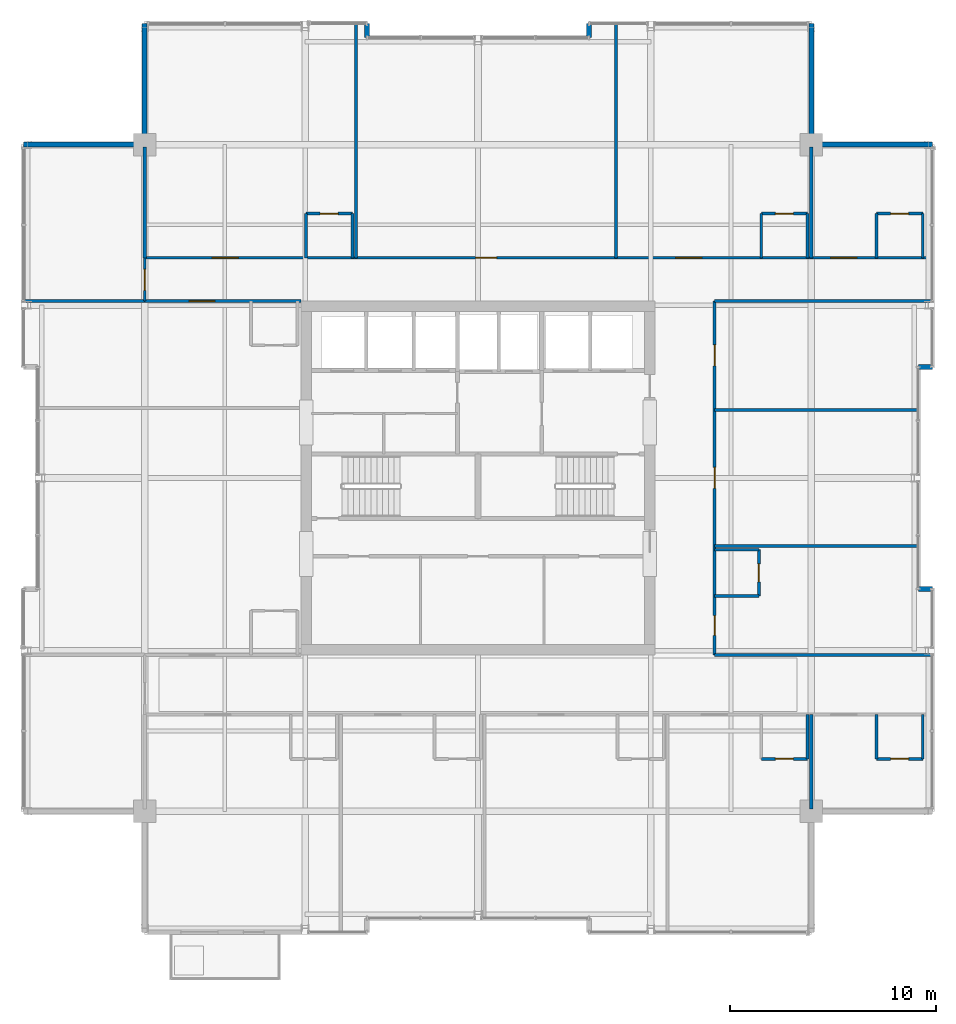
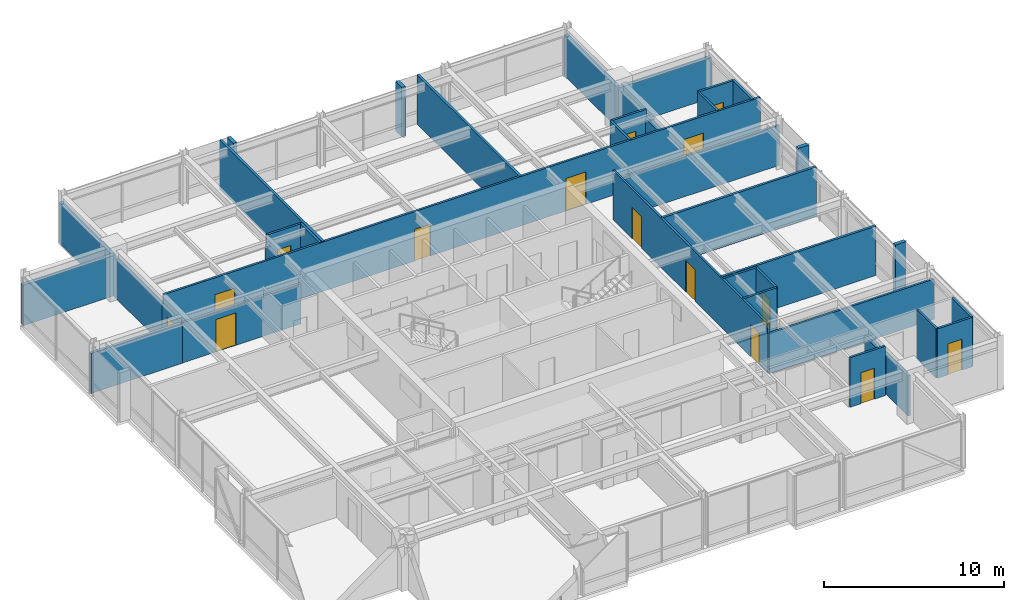
# One storey, part 30 of 34: 39 walls, 15 doors, 15 openings.
"""IFC4 building model written with IfcOpenShell, lengths in metres."""

from ifc_helpers import new_model, si_unit, direction, frame, frame_2d, origin, place, context, subcontext, project, spatial, rectangle, extrude, material, layer, layer_set, type_object, element, fill, save


model = new_model("IFC4")

# Units and contexts
model_context = context("Model", 3, precision=1e-05, world=origin(), true_north=direction((0.0, 1.0)))
body_context = subcontext(model_context, "Body", "Model", "MODEL_VIEW")
ifc_project = project(units=[si_unit("LENGTHUNIT", "METRE"), si_unit("AREAUNIT", "SQUARE_METRE"), si_unit("VOLUMEUNIT", "CUBIC_METRE"), si_unit("PLANEANGLEUNIT", "RADIAN"), si_unit("MASSUNIT", "GRAM", prefix="KILO")], contexts=[model_context])

# Site, building, storey
site_placement = place(None, origin())
site = spatial("IfcSite", under=ifc_project, at=site_placement, CompositionType="ELEMENT")
building_placement = place(site_placement, origin())
building = spatial("IfcBuilding", under=site, at=building_placement, Name="Drelvath Grand Hotel", CompositionType="ELEMENT")
storey_placement = place(building_placement, frame((0.0, 0.0, 290.550048828125)))
storey = spatial("IfcBuildingStorey", under=building, at=storey_placement, Name="L76", CompositionType="ELEMENT", Elevation=290.550048828125)

# Wall, openings, doors
ifc_material_1 = material(Name="Gypsum Fireboard Partition")
ifc_layer_1 = layer(ifc_material_1, 0.135009765625)
ifc_layer_set_1 = layer_set([ifc_layer_1], Name="Gypsum Fireboard Partition")
wall_type_1 = type_object("IfcWallType", Name="Corridor Fire Barrier Wall 135", PredefinedType="PARTITIONING", material=ifc_layer_set_1)
wall_1_placement = place(storey_placement, frame((-16.199951171875, 37.699951171875, 0.0), z_axis=(0.0, 0.0, 1.0), x_axis=(1.0, 0.0, 0.0)))
wall_1 = element("IfcWall", 1, at=wall_1_placement, inside=storey, type_object=wall_type_1, Name="L76 North Cross-Gallery Wall", PredefinedType="PARTITIONING", context=body_context, shape_type="SweptSolid", body=[
    extrude(rectangle(XDim=38.280029296875, YDim=0.135009765625, at=frame_2d((19.14013671875, 0.0))), origin(), (0.0, 0.0, 1.0), 3.349853515625),
])
opening_1_placement = place(wall_1_placement, frame((33.35498046875, 0.0, 0.0)))
opening_1 = element("IfcOpeningElement", 2, at=opening_1_placement, cuts=wall_1, Name="Opening D-T5G3-024", PredefinedType="OPENING", context=body_context, shape_type="SweptSolid", body=[
    extrude(rectangle(XDim=1.260009765625, YDim=2.199951171875, at=frame_2d((0.6298828125, 1.10009765625))), frame((0.0, 0.077392578125, 0.0), z_axis=(0.0, -1.0, 0.0), x_axis=(1.0, 0.0, 0.0)), (0.0, 0.0, 1.0), 0.155029296875),
])
opening_2_placement = place(wall_1_placement, frame((3.29150390625, 0.0, 0.0)))
opening_2 = element("IfcOpeningElement", 3, at=opening_2_placement, cuts=wall_1, Name="Opening D-T5G3-034", PredefinedType="OPENING", context=body_context, shape_type="SweptSolid", body=[
    extrude(rectangle(XDim=1.260009765625, YDim=2.199951171875, at=frame_2d((0.6298828125, 1.10009765625))), frame((0.0, 0.077392578125, 0.0), z_axis=(0.0, -1.0, 0.0), x_axis=(1.0, 0.0, 0.0)), (0.0, 0.0, 1.0), 0.155029296875),
])
opening_3_placement = place(wall_1_placement, frame((16.085205078125, 0.0, 0.0)))
opening_3 = element("IfcOpeningElement", 4, at=opening_3_placement, cuts=wall_1, Name="Opening D-T5G3-035", PredefinedType="OPENING", context=body_context, shape_type="SweptSolid", body=[
    extrude(rectangle(XDim=1.02001953125, YDim=2.14990234375, at=frame_2d((0.510009765625, 1.074951171875))), frame((0.0, 0.077392578125, 0.0), z_axis=(0.0, -1.0, 0.0), x_axis=(1.0, 0.0, 0.0)), (0.0, 0.0, 1.0), 0.155029296875),
])
opening_4_placement = place(wall_1_placement, frame((25.8134765625, 0.0, 0.0)))
opening_4 = element("IfcOpeningElement", 5, at=opening_4_placement, cuts=wall_1, Name="Opening D-T5G3-037", PredefinedType="OPENING", context=body_context, shape_type="SweptSolid", body=[
    extrude(rectangle(XDim=1.260009765625, YDim=2.199951171875, at=frame_2d((0.6298828125, 1.10009765625))), frame((0.0, 0.077392578125, 0.0), z_axis=(0.0, -1.0, 0.0), x_axis=(1.0, 0.0, 0.0)), (0.0, 0.0, 1.0), 0.155029296875),
])
ifc_material_2 = material(Name="Hardwood Walnut Timber", Category="wood")
door_type_1 = type_object("IfcDoorType", Name="Amenity Meeting Fire Door 1020x2150", OperationType="NOTDEFINED", PredefinedType="DOOR", material=ifc_material_2)
door_1_placement = place(opening_3_placement, origin())
door_1 = element("IfcDoor", 6, at=door_1_placement, inside=storey, type_object=door_type_1, Name="L76 Champagne Tasting Salon Entry Door", OperationType="SINGLE_SWING_RIGHT", OverallHeight=2.14990234375, OverallWidth=1.02001953125, PredefinedType="DOOR", context=body_context, shape_type="SweptSolid", body=[
    extrude(rectangle(XDim=1.02001953125, YDim=2.14990234375, at=frame_2d((0.510009765625, 1.074951171875))), frame((0.0, 0.02490234375, 0.0), z_axis=(0.0, -1.0, 0.0), x_axis=(1.0, 0.0, 0.0)), (0.0, 0.0, 1.0), 0.050048828125),
])
fill(opening_3, door_1)
door_type_2 = type_object("IfcDoorType", Name="Suite Entrance Fire Door 1260x2200", OperationType="NOTDEFINED", PredefinedType="DOOR", material=ifc_material_2)
door_2_placement = place(opening_1_placement, origin())
door_2 = element("IfcDoor", 7, at=door_2_placement, inside=storey, type_object=door_type_2, Name="L76 Royal Suite Entry Door", OperationType="SINGLE_SWING_LEFT", OverallHeight=2.199951171875, OverallWidth=1.260009765625, PredefinedType="DOOR", context=body_context, shape_type="SweptSolid", body=[
    extrude(rectangle(XDim=1.260009765625, YDim=2.199951171875, at=frame_2d((0.6298828125, 1.10009765625))), frame((0.0, 0.02490234375, 0.0), z_axis=(0.0, -1.0, 0.0), x_axis=(1.0, 0.0, 0.0)), (0.0, 0.0, 1.0), 0.050048828125),
])
fill(opening_1, door_2)
door_3_placement = place(opening_2_placement, origin())
door_3 = element("IfcDoor", 8, at=door_3_placement, inside=storey, type_object=door_type_2, Name="L76 Royal Suite Entry Door", OperationType="SINGLE_SWING_LEFT", OverallHeight=2.199951171875, OverallWidth=1.260009765625, PredefinedType="DOOR", context=body_context, shape_type="SweptSolid", body=[
    extrude(rectangle(XDim=1.260009765625, YDim=2.199951171875, at=frame_2d((0.6298828125, 1.10009765625))), frame((0.0, 0.02490234375, 0.0), z_axis=(0.0, -1.0, 0.0), x_axis=(1.0, 0.0, 0.0)), (0.0, 0.0, 1.0), 0.050048828125),
])
fill(opening_2, door_3)
door_4_placement = place(opening_4_placement, origin())
door_4 = element("IfcDoor", 9, at=door_4_placement, inside=storey, type_object=door_type_2, Name="L76 Royal Suite Entry Door", OperationType="SINGLE_SWING_RIGHT", OverallHeight=2.199951171875, OverallWidth=1.260009765625, PredefinedType="DOOR", context=body_context, shape_type="SweptSolid", body=[
    extrude(rectangle(XDim=1.260009765625, YDim=2.199951171875, at=frame_2d((0.6298828125, 1.10009765625))), frame((0.0, 0.02490234375, 0.0), z_axis=(0.0, -1.0, 0.0), x_axis=(1.0, 0.0, 0.0)), (0.0, 0.0, 1.0), 0.050048828125),
])
fill(opening_4, door_4)

# Wall
wall_2_placement = place(storey_placement, frame((11.5, 18.39990234375, 0.0), z_axis=(0.0, 0.0, 1.0), x_axis=(1.0, 0.0, 0.0)))
element("IfcWall", 10, at=wall_2_placement, inside=storey, type_object=wall_type_1, Name="L76 South Gallery Inner East Wall", PredefinedType="PARTITIONING", context=body_context, shape_type="SweptSolid", body=[
    extrude(rectangle(XDim=10.580078125, YDim=0.135009765625, at=frame_2d((5.2900390625, 0.0))), origin(), (0.0, 0.0, 1.0), 2.727294921875),
])

# Wall, opening, door
wall_3_placement = place(storey_placement, frame((-16.199951171875, 35.60009765625, 0.0), z_axis=(0.0, 0.0, 1.0), x_axis=(1.0, 0.0, 0.0)))
wall_3 = element("IfcWall", 11, at=wall_3_placement, inside=storey, type_object=wall_type_1, Name="L76 North Gallery Inner West Wall", PredefinedType="PARTITIONING", context=body_context, shape_type="SweptSolid", body=[
    extrude(rectangle(XDim=7.599853515625, YDim=0.135009765625, at=frame_2d((3.7998046875, 0.0))), origin(), (0.0, 0.0, 1.0), 2.727294921875),
])
opening_5_placement = place(wall_3_placement, frame((2.155029296875, 0.0, 0.0)))
opening_5 = element("IfcOpeningElement", 12, at=opening_5_placement, cuts=wall_3, Name="Opening D-T5G3-045", PredefinedType="OPENING", context=body_context, shape_type="SweptSolid", body=[
    extrude(rectangle(XDim=1.260009765625, YDim=2.199951171875, at=frame_2d((0.6298828125, 1.10009765625))), frame((0.0, 0.077392578125, 0.0), z_axis=(0.0, -1.0, 0.0), x_axis=(1.0, 0.0, 0.0)), (0.0, 0.0, 1.0), 0.155029296875),
])
door_5_placement = place(opening_5_placement, origin())
door_5 = element("IfcDoor", 13, at=door_5_placement, inside=storey, type_object=door_type_2, Name="L76 Royal Suite Entry Door", OperationType="SINGLE_SWING_RIGHT", OverallHeight=2.199951171875, OverallWidth=1.260009765625, PredefinedType="DOOR", context=body_context, shape_type="SweptSolid", body=[
    extrude(rectangle(XDim=1.260009765625, YDim=2.199951171875, at=frame_2d((0.6298828125, 1.10009765625))), frame((0.0, 0.02490234375, 0.0), z_axis=(0.0, -1.0, 0.0), x_axis=(1.0, 0.0, 0.0)), (0.0, 0.0, 1.0), 0.050048828125),
])
fill(opening_5, door_5)

# Wall
wall_4_placement = place(storey_placement, frame((11.5, 35.60009765625, 0.0), z_axis=(0.0, 0.0, 1.0), x_axis=(1.0, 0.0, 0.0)))
element("IfcWall", 14, at=wall_4_placement, inside=storey, type_object=wall_type_1, Name="L76 North Gallery Inner East Wall", PredefinedType="PARTITIONING", context=body_context, shape_type="SweptSolid", body=[
    extrude(rectangle(XDim=10.580078125, YDim=0.135009765625, at=frame_2d((5.2900390625, 0.0))), origin(), (0.0, 0.0, 1.0), 2.727294921875),
])

# Wall, openings, doors
wall_5_placement = place(storey_placement, frame((11.5, 18.39990234375, 0.0), z_axis=(0.0, 0.0, 1.0), x_axis=(0.0, 1.0, 0.0)))
wall_5 = element("IfcWall", 15, at=wall_5_placement, inside=storey, type_object=wall_type_1, Name="L76 East Gallery Link Wall", PredefinedType="PARTITIONING", context=body_context, shape_type="SweptSolid", body=[
    extrude(rectangle(XDim=17.2001953125, YDim=0.135009765625, at=frame_2d((8.60009765625, 0.0))), origin(), (0.0, 0.0, 1.0), 3.349853515625),
])
opening_6_placement = place(wall_5_placement, frame((0.951171875, 0.0, 0.0)))
opening_6 = element("IfcOpeningElement", 16, at=opening_6_placement, cuts=wall_5, Name="Opening D-T5G3-039", PredefinedType="OPENING", context=body_context, shape_type="SweptSolid", body=[
    extrude(rectangle(XDim=0.9599609375, YDim=2.14990234375, at=frame_2d((0.47998046875, 1.074951171875))), frame((0.0, 0.077392578125, 0.0), z_axis=(0.0, -1.0, 0.0), x_axis=(1.0, 0.0, 0.0)), (0.0, 0.0, 1.0), 0.155029296875),
])
opening_7_placement = place(wall_5_placement, frame((8.090087890625, 0.0, 0.0)))
opening_7 = element("IfcOpeningElement", 17, at=opening_7_placement, cuts=wall_5, Name="Opening D-T5G3-040", PredefinedType="OPENING", context=body_context, shape_type="SweptSolid", body=[
    extrude(rectangle(XDim=1.02001953125, YDim=2.14990234375, at=frame_2d((0.510009765625, 1.074951171875))), frame((0.0, 0.077392578125, 0.0), z_axis=(0.0, -1.0, 0.0), x_axis=(1.0, 0.0, 0.0)), (0.0, 0.0, 1.0), 0.155029296875),
])
opening_8_placement = place(wall_5_placement, frame((14.0439453125, 0.0, 0.0)))
opening_8 = element("IfcOpeningElement", 18, at=opening_8_placement, cuts=wall_5, Name="Opening D-T5G3-041", PredefinedType="OPENING", context=body_context, shape_type="SweptSolid", body=[
    extrude(rectangle(XDim=1.02001953125, YDim=2.14990234375, at=frame_2d((0.510009765625, 1.074951171875))), frame((0.0, 0.077392578125, 0.0), z_axis=(0.0, -1.0, 0.0), x_axis=(1.0, 0.0, 0.0)), (0.0, 0.0, 1.0), 0.155029296875),
])
door_6_placement = place(opening_7_placement, origin())
door_6 = element("IfcDoor", 19, at=door_6_placement, inside=storey, type_object=door_type_1, Name="L76 Royal Concierge Office Entry Door", OperationType="SINGLE_SWING_LEFT", OverallHeight=2.14990234375, OverallWidth=1.02001953125, PredefinedType="DOOR", context=body_context, shape_type="SweptSolid", body=[
    extrude(rectangle(XDim=1.02001953125, YDim=2.14990234375, at=frame_2d((0.510009765625, 1.074951171875))), frame((0.0, 0.02490234375, 0.0), z_axis=(0.0, -1.0, 0.0), x_axis=(1.0, 0.0, 0.0)), (0.0, 0.0, 1.0), 0.050048828125),
])
fill(opening_7, door_6)
door_7_placement = place(opening_8_placement, origin())
door_7 = element("IfcDoor", 20, at=door_7_placement, inside=storey, type_object=door_type_1, Name="L76 Diplomatic Boardroom Entry Door", OperationType="SINGLE_SWING_RIGHT", OverallHeight=2.14990234375, OverallWidth=1.02001953125, PredefinedType="DOOR", context=body_context, shape_type="SweptSolid", body=[
    extrude(rectangle(XDim=1.02001953125, YDim=2.14990234375, at=frame_2d((0.510009765625, 1.074951171875))), frame((0.0, 0.02490234375, 0.0), z_axis=(0.0, -1.0, 0.0), x_axis=(1.0, 0.0, 0.0)), (0.0, 0.0, 1.0), 0.050048828125),
])
fill(opening_8, door_7)
door_type_3 = type_object("IfcDoorType", Name="Guestroom Entrance Fire Door 960x2150", OperationType="NOTDEFINED", PredefinedType="DOOR", material=ifc_material_2)
door_8_placement = place(opening_6_placement, origin())
door_8 = element("IfcDoor", 21, at=door_8_placement, inside=storey, type_object=door_type_3, Name="L76 King Guest Room Entry Door", OperationType="SINGLE_SWING_RIGHT", OverallHeight=2.14990234375, OverallWidth=0.9599609375, PredefinedType="DOOR", context=body_context, shape_type="SweptSolid", body=[
    extrude(rectangle(XDim=0.9599609375, YDim=2.14990234375, at=frame_2d((0.47998046875, 1.074951171875))), frame((0.0, 0.02490234375, 0.0), z_axis=(0.0, -1.0, 0.0), x_axis=(1.0, 0.0, 0.0)), (0.0, 0.0, 1.0), 0.050048828125),
])
fill(opening_6, door_8)

# Wall, opening, door
wall_6_placement = place(storey_placement, frame((-16.199951171875, 35.60009765625, 0.0), z_axis=(0.0, 0.0, 1.0), x_axis=(0.0, 1.0, 0.0)))
wall_6 = element("IfcWall", 22, at=wall_6_placement, inside=storey, type_object=wall_type_1, Name="L76 North Gallery West End", PredefinedType="PARTITIONING", context=body_context, shape_type="SweptSolid", body=[
    extrude(rectangle(XDim=2.099853515625, YDim=0.135009765625, at=frame_2d((1.0498046875, 0.0))), origin(), (0.0, 0.0, 1.0), 2.723876953125),
])
opening_9_placement = place(wall_6_placement, frame((0.52001953125, 0.0, 0.0)))
opening_9 = element("IfcOpeningElement", 23, at=opening_9_placement, cuts=wall_6, Name="Opening D-T5G3-020", PredefinedType="OPENING", context=body_context, shape_type="SweptSolid", body=[
    extrude(rectangle(XDim=1.02001953125, YDim=2.14990234375, at=frame_2d((0.510009765625, 1.074951171875))), frame((0.0, 0.077392578125, 0.0), z_axis=(0.0, -1.0, 0.0), x_axis=(1.0, 0.0, 0.0)), (0.0, 0.0, 1.0), 0.155029296875),
])
door_9_placement = place(opening_9_placement, origin())
door_9 = element("IfcDoor", 24, at=door_9_placement, inside=storey, type_object=door_type_1, Name="L76 Corner Panorama Lounge Door", OperationType="SINGLE_SWING_LEFT", OverallHeight=2.14990234375, OverallWidth=1.02001953125, PredefinedType="DOOR", context=body_context, shape_type="SweptSolid", body=[
    extrude(rectangle(XDim=1.02001953125, YDim=2.14990234375, at=frame_2d((0.510009765625, 1.074951171875))), frame((0.0, 0.02490234375, 0.0), z_axis=(0.0, -1.0, 0.0), x_axis=(1.0, 0.0, 0.0)), (0.0, 0.0, 1.0), 0.050048828125),
])
fill(opening_9, door_9)

# Walls
ifc_material_3 = material(Name="Moisture-Resistant Gypsum Board")
ifc_layer_2 = layer(ifc_material_3, 0.139892578125)
ifc_layer_set_2 = layer_set([ifc_layer_2], Name="Moisture-Resistant Gypsum Board")
wall_type_2 = type_object("IfcWallType", Name="En-Suite Plumbing Wall 140", PredefinedType="PLUMBINGWALL", material=ifc_layer_set_2)
for number, where, z_axis, x_axis, name in (
    (25, (19.3701171875, 15.5, 0.0), (0.0, 0.0, 1.0), (0.0, -1.0, 0.0), "L76 En-Suite Left Wall"),
    (26, (21.6201171875, 15.5, 0.0), (0.0, 0.0, 1.0), (0.0, -1.0, 0.0), "L76 En-Suite Right Wall"),
):
    element("IfcWall", number, at=place(storey_placement, frame(where, z_axis=z_axis, x_axis=x_axis)), inside=storey, type_object=wall_type_2, Name=name, PredefinedType="PLUMBINGWALL", context=body_context, shape_type="SweptSolid", body=[
        extrude(rectangle(XDim=2.14990234375, YDim=0.139892578125, at=frame_2d((1.074951171875, 0.0))), origin(), (0.0, 0.0, 1.0), 3.349853515625),
    ])

# Wall, opening, door
wall_7_placement = place(storey_placement, frame((19.3701171875, 13.35009765625, 0.0), z_axis=(0.0, 0.0, 1.0), x_axis=(1.0, 0.0, 0.0)))
wall_7 = element("IfcWall", 27, at=wall_7_placement, inside=storey, type_object=wall_type_2, Name="L76 En-Suite Front Wall", PredefinedType="PLUMBINGWALL", context=body_context, shape_type="SweptSolid", body=[
    extrude(rectangle(XDim=2.25, YDim=0.139892578125, at=frame_2d((1.125, 0.0))), origin(), (0.0, 0.0, 1.0), 3.349853515625),
])
opening_10_placement = place(wall_7_placement, frame((0.68505859375, 0.0, 0.0)))
opening_10 = element("IfcOpeningElement", 28, at=opening_10_placement, cuts=wall_7, Name="Opening D-T5G3-021", PredefinedType="OPENING", context=body_context, shape_type="SweptSolid", body=[
    extrude(rectangle(XDim=0.8798828125, YDim=2.10009765625, at=frame_2d((0.43994140625, 1.050048828125))), frame((0.0, 0.079833984375, 0.0), z_axis=(0.0, -1.0, 0.0), x_axis=(1.0, 0.0, 0.0)), (0.0, 0.0, 1.0), 0.159912109375),
])
door_type_4 = type_object("IfcDoorType", Name="En-Suite Bathroom Door 880x2100", OperationType="NOTDEFINED", PredefinedType="DOOR", material=ifc_material_2)
door_10_placement = place(opening_10_placement, origin())
door_10 = element("IfcDoor", 29, at=door_10_placement, inside=storey, type_object=door_type_4, Name="L76 En-Suite Bathroom Door", OperationType="SINGLE_SWING_RIGHT", OverallHeight=2.10009765625, OverallWidth=0.8798828125, PredefinedType="DOOR", context=body_context, shape_type="SweptSolid", body=[
    extrude(rectangle(XDim=0.8798828125, YDim=2.10009765625, at=frame_2d((0.43994140625, 1.050048828125))), frame((0.0, 0.02490234375, 0.0), z_axis=(0.0, -1.0, 0.0), x_axis=(1.0, 0.0, 0.0)), (0.0, 0.0, 1.0), 0.050048828125),
])
fill(opening_10, door_10)

# Walls
for number, where, z_axis, x_axis, name in (
    (30, (19.3701171875, 37.699951171875, 0.0), (0.0, 0.0, 1.0), (0.0, 1.0, 0.0), "L76 En-Suite Left Wall"),
    (31, (21.6201171875, 37.699951171875, 0.0), (0.0, 0.0, 1.0), (0.0, 1.0, 0.0), "L76 En-Suite Right Wall"),
):
    element("IfcWall", number, at=place(storey_placement, frame(where, z_axis=z_axis, x_axis=x_axis)), inside=storey, type_object=wall_type_2, Name=name, PredefinedType="PLUMBINGWALL", context=body_context, shape_type="SweptSolid", body=[
        extrude(rectangle(XDim=2.150146484375, YDim=0.139892578125, at=frame_2d((1.0751953125, 0.0))), origin(), (0.0, 0.0, 1.0), 3.349853515625),
    ])

# Wall, opening, door
wall_8_placement = place(storey_placement, frame((19.3701171875, 39.85009765625, 0.0), z_axis=(0.0, 0.0, 1.0), x_axis=(1.0, 0.0, 0.0)))
wall_8 = element("IfcWall", 32, at=wall_8_placement, inside=storey, type_object=wall_type_2, Name="L76 En-Suite Front Wall", PredefinedType="PLUMBINGWALL", context=body_context, shape_type="SweptSolid", body=[
    extrude(rectangle(XDim=2.25, YDim=0.139892578125, at=frame_2d((1.125, 0.0))), origin(), (0.0, 0.0, 1.0), 3.349853515625),
])
opening_11_placement = place(wall_8_placement, frame((0.68505859375, 0.0, 0.0)))
opening_11 = element("IfcOpeningElement", 33, at=opening_11_placement, cuts=wall_8, Name="Opening D-T5G3-023", PredefinedType="OPENING", context=body_context, shape_type="SweptSolid", body=[
    extrude(rectangle(XDim=0.8798828125, YDim=2.10009765625, at=frame_2d((0.43994140625, 1.050048828125))), frame((0.0, 0.079833984375, 0.0), z_axis=(0.0, -1.0, 0.0), x_axis=(1.0, 0.0, 0.0)), (0.0, 0.0, 1.0), 0.159912109375),
])
door_11_placement = place(opening_11_placement, origin())
door_11 = element("IfcDoor", 34, at=door_11_placement, inside=storey, type_object=door_type_4, Name="L76 En-Suite Bathroom Door", OperationType="SINGLE_SWING_RIGHT", OverallHeight=2.10009765625, OverallWidth=0.8798828125, PredefinedType="DOOR", context=body_context, shape_type="SweptSolid", body=[
    extrude(rectangle(XDim=0.8798828125, YDim=2.10009765625, at=frame_2d((0.43994140625, 1.050048828125))), frame((0.0, 0.02490234375, 0.0), z_axis=(0.0, -1.0, 0.0), x_axis=(1.0, 0.0, 0.0)), (0.0, 0.0, 1.0), 0.050048828125),
])
fill(opening_11, door_11)

# Wall
wall_9_placement = place(storey_placement, frame((16.02001953125, 15.5, 0.0), z_axis=(0.0, 0.0, 1.0), x_axis=(0.0, -1.0, 0.0)))
element("IfcWall", 35, at=wall_9_placement, inside=storey, type_object=wall_type_2, Name="L76 En-Suite Right Wall", PredefinedType="PLUMBINGWALL", context=body_context, shape_type="SweptSolid", body=[
    extrude(rectangle(XDim=2.14990234375, YDim=0.139892578125, at=frame_2d((1.074951171875, 0.0))), origin(), (0.0, 0.0, 1.0), 2.723876953125),
])

# Wall, opening, door
wall_10_placement = place(storey_placement, frame((13.77001953125, 13.35009765625, 0.0), z_axis=(0.0, 0.0, 1.0), x_axis=(1.0, 0.0, 0.0)))
wall_10 = element("IfcWall", 36, at=wall_10_placement, inside=storey, type_object=wall_type_2, Name="L76 En-Suite Front Wall", PredefinedType="PLUMBINGWALL", context=body_context, shape_type="SweptSolid", body=[
    extrude(rectangle(XDim=2.25, YDim=0.139892578125, at=frame_2d((1.125, 0.0))), origin(), (0.0, 0.0, 1.0), 3.349853515625),
])
opening_12_placement = place(wall_10_placement, frame((0.68505859375, 0.0, 0.0)))
opening_12 = element("IfcOpeningElement", 37, at=opening_12_placement, cuts=wall_10, Name="Opening D-T5G3-031", PredefinedType="OPENING", context=body_context, shape_type="SweptSolid", body=[
    extrude(rectangle(XDim=0.8798828125, YDim=2.10009765625, at=frame_2d((0.43994140625, 1.050048828125))), frame((0.0, 0.079833984375, 0.0), z_axis=(0.0, -1.0, 0.0), x_axis=(1.0, 0.0, 0.0)), (0.0, 0.0, 1.0), 0.159912109375),
])
door_12_placement = place(opening_12_placement, origin())
door_12 = element("IfcDoor", 38, at=door_12_placement, inside=storey, type_object=door_type_4, Name="L76 En-Suite Bathroom Door", OperationType="SINGLE_SWING_RIGHT", OverallHeight=2.10009765625, OverallWidth=0.8798828125, PredefinedType="DOOR", context=body_context, shape_type="SweptSolid", body=[
    extrude(rectangle(XDim=0.8798828125, YDim=2.10009765625, at=frame_2d((0.43994140625, 1.050048828125))), frame((0.0, 0.02490234375, 0.0), z_axis=(0.0, -1.0, 0.0), x_axis=(1.0, 0.0, 0.0)), (0.0, 0.0, 1.0), 0.050048828125),
])
fill(opening_12, door_12)

# Walls
wall_11_placement = place(storey_placement, frame((-8.356689453125, 37.699951171875, 0.0), z_axis=(0.0, 0.0, 1.0), x_axis=(0.0, 1.0, 0.0)))
element("IfcWall", 39, at=wall_11_placement, inside=storey, type_object=wall_type_2, Name="L76 En-Suite Left Wall", PredefinedType="PLUMBINGWALL", context=body_context, shape_type="SweptSolid", body=[
    extrude(rectangle(XDim=2.150146484375, YDim=0.139892578125, at=frame_2d((1.0751953125, 0.0))), origin(), (0.0, 0.0, 1.0), 2.727294921875),
])
wall_12_placement = place(storey_placement, frame((-6.106689453125, 37.699951171875, 0.0), z_axis=(0.0, 0.0, 1.0), x_axis=(0.0, 1.0, 0.0)))
element("IfcWall", 40, at=wall_12_placement, inside=storey, type_object=wall_type_2, Name="L76 En-Suite Right Wall", PredefinedType="PLUMBINGWALL", context=body_context, shape_type="SweptSolid", body=[
    extrude(rectangle(XDim=2.150146484375, YDim=0.139892578125, at=frame_2d((1.0751953125, 0.0))), origin(), (0.0, 0.0, 1.0), 3.349853515625),
])

# Wall, opening, door
wall_13_placement = place(storey_placement, frame((-8.356689453125, 39.85009765625, 0.0), z_axis=(0.0, 0.0, 1.0), x_axis=(1.0, 0.0, 0.0)))
wall_13 = element("IfcWall", 41, at=wall_13_placement, inside=storey, type_object=wall_type_2, Name="L76 En-Suite Front Wall", PredefinedType="PLUMBINGWALL", context=body_context, shape_type="SweptSolid", body=[
    extrude(rectangle(XDim=2.25, YDim=0.139892578125, at=frame_2d((1.125, 0.0))), origin(), (0.0, 0.0, 1.0), 3.349853515625),
])
opening_13_placement = place(wall_13_placement, frame((0.68505859375, 0.0, 0.0)))
opening_13 = element("IfcOpeningElement", 42, at=opening_13_placement, cuts=wall_13, Name="Opening D-T5G3-033", PredefinedType="OPENING", context=body_context, shape_type="SweptSolid", body=[
    extrude(rectangle(XDim=0.8798828125, YDim=2.10009765625, at=frame_2d((0.43994140625, 1.050048828125))), frame((0.0, 0.079833984375, 0.0), z_axis=(0.0, -1.0, 0.0), x_axis=(1.0, 0.0, 0.0)), (0.0, 0.0, 1.0), 0.159912109375),
])
door_13_placement = place(opening_13_placement, origin())
door_13 = element("IfcDoor", 43, at=door_13_placement, inside=storey, type_object=door_type_4, Name="L76 En-Suite Bathroom Door", OperationType="SINGLE_SWING_RIGHT", OverallHeight=2.10009765625, OverallWidth=0.8798828125, PredefinedType="DOOR", context=body_context, shape_type="SweptSolid", body=[
    extrude(rectangle(XDim=0.8798828125, YDim=2.10009765625, at=frame_2d((0.43994140625, 1.050048828125))), frame((0.0, 0.02490234375, 0.0), z_axis=(0.0, -1.0, 0.0), x_axis=(1.0, 0.0, 0.0)), (0.0, 0.0, 1.0), 0.050048828125),
])
fill(opening_13, door_13)

# Walls
wall_14_placement = place(storey_placement, frame((13.77001953125, 37.699951171875, 0.0), z_axis=(0.0, 0.0, 1.0), x_axis=(0.0, 1.0, 0.0)))
element("IfcWall", 44, at=wall_14_placement, inside=storey, type_object=wall_type_2, Name="L76 En-Suite Left Wall", PredefinedType="PLUMBINGWALL", context=body_context, shape_type="SweptSolid", body=[
    extrude(rectangle(XDim=2.150146484375, YDim=0.139892578125, at=frame_2d((1.0751953125, 0.0))), origin(), (0.0, 0.0, 1.0), 3.349853515625),
])
wall_15_placement = place(storey_placement, frame((16.02001953125, 37.699951171875, 0.0), z_axis=(0.0, 0.0, 1.0), x_axis=(0.0, 1.0, 0.0)))
element("IfcWall", 45, at=wall_15_placement, inside=storey, type_object=wall_type_2, Name="L76 En-Suite Right Wall", PredefinedType="PLUMBINGWALL", context=body_context, shape_type="SweptSolid", body=[
    extrude(rectangle(XDim=2.150146484375, YDim=0.139892578125, at=frame_2d((1.0751953125, 0.0))), origin(), (0.0, 0.0, 1.0), 2.723876953125),
])

# Wall, opening, door
wall_16_placement = place(storey_placement, frame((13.77001953125, 39.85009765625, 0.0), z_axis=(0.0, 0.0, 1.0), x_axis=(1.0, 0.0, 0.0)))
wall_16 = element("IfcWall", 46, at=wall_16_placement, inside=storey, type_object=wall_type_2, Name="L76 En-Suite Front Wall", PredefinedType="PLUMBINGWALL", context=body_context, shape_type="SweptSolid", body=[
    extrude(rectangle(XDim=2.25, YDim=0.139892578125, at=frame_2d((1.125, 0.0))), origin(), (0.0, 0.0, 1.0), 3.349853515625),
])
opening_14_placement = place(wall_16_placement, frame((0.68505859375, 0.0, 0.0)))
opening_14 = element("IfcOpeningElement", 47, at=opening_14_placement, cuts=wall_16, Name="Opening D-T5G3-036", PredefinedType="OPENING", context=body_context, shape_type="SweptSolid", body=[
    extrude(rectangle(XDim=0.8798828125, YDim=2.10009765625, at=frame_2d((0.43994140625, 1.050048828125))), frame((0.0, 0.079833984375, 0.0), z_axis=(0.0, -1.0, 0.0), x_axis=(1.0, 0.0, 0.0)), (0.0, 0.0, 1.0), 0.159912109375),
])
door_14_placement = place(opening_14_placement, origin())
door_14 = element("IfcDoor", 48, at=door_14_placement, inside=storey, type_object=door_type_4, Name="L76 En-Suite Bathroom Door", OperationType="SINGLE_SWING_LEFT", OverallHeight=2.10009765625, OverallWidth=0.8798828125, PredefinedType="DOOR", context=body_context, shape_type="SweptSolid", body=[
    extrude(rectangle(XDim=0.8798828125, YDim=2.10009765625, at=frame_2d((0.43994140625, 1.050048828125))), frame((0.0, 0.02490234375, 0.0), z_axis=(0.0, -1.0, 0.0), x_axis=(1.0, 0.0, 0.0)), (0.0, 0.0, 1.0), 0.050048828125),
])
fill(opening_14, door_14)

# Walls
for number, where, z_axis, x_axis, name in (
    (49, (11.5, 21.26220703125, 0.0), (0.0, 0.0, 1.0), (1.0, 0.0, 0.0), "L76 En-Suite Left Wall"),
    (50, (11.5, 23.51220703125, 0.0), (0.0, 0.0, 1.0), (1.0, 0.0, 0.0), "L76 En-Suite Right Wall"),
):
    element("IfcWall", number, at=place(storey_placement, frame(where, z_axis=z_axis, x_axis=x_axis)), inside=storey, type_object=wall_type_2, Name=name, PredefinedType="PLUMBINGWALL", context=body_context, shape_type="SweptSolid", body=[
        extrude(rectangle(XDim=2.14990234375, YDim=0.139892578125, at=frame_2d((1.074951171875, 0.0))), origin(), (0.0, 0.0, 1.0), 3.349853515625),
    ])

# Wall, opening, door
wall_17_placement = place(storey_placement, frame((13.64990234375, 21.26220703125, 0.0), z_axis=(0.0, 0.0, 1.0), x_axis=(0.0, 1.0, 0.0)))
wall_17 = element("IfcWall", 51, at=wall_17_placement, inside=storey, type_object=wall_type_2, Name="L76 En-Suite Front Wall", PredefinedType="PLUMBINGWALL", context=body_context, shape_type="SweptSolid", body=[
    extrude(rectangle(XDim=2.25, YDim=0.139892578125, at=frame_2d((1.125, 0.0))), origin(), (0.0, 0.0, 1.0), 3.349853515625),
])
opening_15_placement = place(wall_17_placement, frame((0.68505859375, 0.0, 0.0)))
opening_15 = element("IfcOpeningElement", 52, at=opening_15_placement, cuts=wall_17, Name="Opening D-T5G3-038", PredefinedType="OPENING", context=body_context, shape_type="SweptSolid", body=[
    extrude(rectangle(XDim=0.8798828125, YDim=2.10009765625, at=frame_2d((0.43994140625, 1.050048828125))), frame((0.0, 0.079833984375, 0.0), z_axis=(0.0, -1.0, 0.0), x_axis=(1.0, 0.0, 0.0)), (0.0, 0.0, 1.0), 0.159912109375),
])
door_15_placement = place(opening_15_placement, origin())
door_15 = element("IfcDoor", 53, at=door_15_placement, inside=storey, type_object=door_type_4, Name="L76 En-Suite Bathroom Door", OperationType="SINGLE_SWING_LEFT", OverallHeight=2.10009765625, OverallWidth=0.8798828125, PredefinedType="DOOR", context=body_context, shape_type="SweptSolid", body=[
    extrude(rectangle(XDim=0.8798828125, YDim=2.10009765625, at=frame_2d((0.43994140625, 1.050048828125))), frame((0.0, 0.02490234375, 0.0), z_axis=(0.0, -1.0, 0.0), x_axis=(1.0, 0.0, 0.0)), (0.0, 0.0, 1.0), 0.050048828125),
])
fill(opening_15, door_15)

# Walls
ifc_material_4 = material(Name="Gypsum Acoustic Partition")
ifc_layer_3 = layer(ifc_material_4, 0.14990234375)
ifc_layer_set_3 = layer_set([ifc_layer_3], Name="Gypsum Acoustic Partition")
wall_type_3 = type_object("IfcWallType", Name="Guestroom Demising Wall 150", PredefinedType="PARTITIONING", material=ifc_layer_set_3)
for number, where, z_axis, x_axis, name in (
    (54, (-5.9267578125, 37.699951171875, 0.0), (0.0, 0.0, 1.0), (0.0, 1.0, 0.0), "L76 North Demising 1"),
    (55, (6.717041015625, 37.699951171875, 0.0), (0.0, 0.0, 1.0), (0.0, 1.0, 0.0), "L76 North Demising 2"),
):
    element("IfcWall", number, at=place(storey_placement, frame(where, z_axis=z_axis, x_axis=x_axis)), inside=storey, type_object=wall_type_3, Name=name, PredefinedType="PARTITIONING", context=body_context, shape_type="SweptSolid", body=[
        extrude(rectangle(XDim=11.380126953125, YDim=0.14990234375, at=frame_2d((5.68994140625, 0.0))), origin(), (0.0, 0.0, 1.0), 3.349853515625),
    ])
for number, where, z_axis, x_axis, name in (
    (56, (11.5, 23.6923828125, 0.0), (0.0, 0.0, 1.0), (1.0, 0.0, 0.0), "L76 East Demising 1"),
    (57, (11.5, 30.3076171875, 0.0), (0.0, 0.0, 1.0), (1.0, 0.0, 0.0), "L76 East Demising 2"),
):
    element("IfcWall", number, at=place(storey_placement, frame(where, z_axis=z_axis, x_axis=x_axis)), inside=storey, type_object=wall_type_3, Name=name, PredefinedType="PARTITIONING", context=body_context, shape_type="SweptSolid", body=[
        extrude(rectangle(XDim=9.89990234375, YDim=0.14990234375, at=frame_2d((4.949951171875, 0.0))), origin(), (0.0, 0.0, 1.0), 3.349853515625),
    ])
ifc_layer_4 = layer(ifc_material_4, 0.1650390625)
ifc_layer_set_4 = layer_set([ifc_layer_4], Name="Gypsum Acoustic Partition")
wall_type_4 = type_object("IfcWallType", Name="Suite Demising Wall 165", PredefinedType="PARTITIONING", material=ifc_layer_set_4)
wall_18_placement = place(storey_placement, frame((16.199951171875, 10.919921875, 0.0), z_axis=(0.0, 0.0, 1.0), x_axis=(0.0, 1.0, 0.0)))
element("IfcWall", 58, at=wall_18_placement, inside=storey, type_object=wall_type_4, Name="L76 SE Suite Wall", PredefinedType="PARTITIONING", context=body_context, shape_type="SweptSolid", body=[
    extrude(rectangle(XDim=4.580078125, YDim=0.1650390625, at=frame_2d((2.2900390625, 0.0))), origin(), (0.0, 0.0, 1.0), 2.723876953125),
])
for number, where, z_axis, x_axis, name in (
    (59, (-16.199951171875, 37.699951171875, 0.0), (0.0, 0.0, 1.0), (0.0, 1.0, 0.0), "L76 NW Suite Wall"),
    (60, (16.199951171875, 37.699951171875, 0.0), (0.0, 0.0, 1.0), (0.0, 1.0, 0.0), "L76 NE Suite Wall"),
):
    element("IfcWall", number, at=place(storey_placement, frame(where, z_axis=z_axis, x_axis=x_axis)), inside=storey, type_object=wall_type_4, Name=name, PredefinedType="PARTITIONING", context=body_context, shape_type="SweptSolid", body=[
        extrude(rectangle(XDim=5.380126953125, YDim=0.1650390625, at=frame_2d((2.68994140625, 0.0))), origin(), (0.0, 0.0, 1.0), 2.723876953125),
    ])
wall_19_placement = place(storey_placement, frame((-22.080078125, 35.60009765625, 0.0), z_axis=(0.0, 0.0, 1.0), x_axis=(1.0, 0.0, 0.0)))
element("IfcWall", 61, at=wall_19_placement, inside=storey, type_object=wall_type_4, Name="L76 NW Corner South Wall", PredefinedType="PARTITIONING", context=body_context, shape_type="SweptSolid", body=[
    extrude(rectangle(XDim=5.880126953125, YDim=0.1650390625, at=frame_2d((2.93994140625, 0.0))), origin(), (0.0, 0.0, 1.0), 2.723876953125),
])
ifc_material_5 = material(Name="Pale-Metal Insulated Aluminium Spandrel Assembly", Category="aluminium")
ifc_layer_5 = layer(ifc_material_5, 0.239990234375)
ifc_layer_set_5 = layer_set([ifc_layer_5], Name="Pale-Metal Insulated Aluminium Spandrel Assembly")
wall_type_5 = type_object("IfcWallType", Name="Tower Insulated Metal Spandrel Closure Wall 240", PredefinedType="STANDARD", material=ifc_layer_set_5)
for number, where, z_axis, x_axis, name in (
    (62, (-22.080078125, 43.199951171875, 0.0), (0.0, 0.0, 1.0), (1.0, 0.0, 0.0), "L76 Notched Corner Return Spandrel Wall CNW1"),
    (63, (-16.199951171875, 43.199951171875, 0.0), (0.0, 0.0, 1.0), (0.0, 1.0, 0.0), "L76 Notched Corner Return Spandrel Wall CNW2"),
    (64, (16.199951171875, 49.080078125, 0.0), (0.0, 0.0, 1.0), (0.0, -1.0, 0.0), "L76 Notched Corner Return Spandrel Wall CNE1"),
    (65, (16.199951171875, 43.199951171875, 0.0), (0.0, 0.0, 1.0), (1.0, 0.0, 0.0), "L76 Notched Corner Return Spandrel Wall CNE2"),
):
    element("IfcWall", number, at=place(storey_placement, frame(where, z_axis=z_axis, x_axis=x_axis)), inside=storey, type_object=wall_type_5, Name=name, PredefinedType="STANDARD", context=body_context, shape_type="SweptSolid", body=[
        extrude(rectangle(XDim=5.880126953125, YDim=0.239990234375, at=frame_2d((2.93994140625, 0.0))), origin(), (0.0, 0.0, 1.0), 2.73876953125),
    ])
for number, where, z_axis, x_axis, name in (
    (66, (22.080078125, 32.39990234375, 0.0), (0.0, 0.0, 1.0), (-1.0, 0.0, 0.0), "L76 Notched Corner Return Spandrel Wall RE1"),
    (67, (21.39990234375, 21.60009765625, 0.0), (0.0, 0.0, 1.0), (1.0, 0.0, 0.0), "L76 Notched Corner Return Spandrel Wall RE2"),
    (68, (-5.39990234375, 49.080078125, 0.0), (0.0, 0.0, 1.0), (0.0, -1.0, 0.0), "L76 Notched Corner Return Spandrel Wall RN1"),
    (69, (5.39990234375, 48.39990234375, 0.0), (0.0, 0.0, 1.0), (0.0, 1.0, 0.0), "L76 Notched Corner Return Spandrel Wall RN2"),
):
    element("IfcWall", number, at=place(storey_placement, frame(where, z_axis=z_axis, x_axis=x_axis)), inside=storey, type_object=wall_type_5, Name=name, PredefinedType="STANDARD", context=body_context, shape_type="SweptSolid", body=[
        extrude(rectangle(XDim=0.68017578125, YDim=0.239990234375, at=frame_2d((0.340087890625, 0.0))), origin(), (0.0, 0.0, 1.0), 3.349853515625),
    ])

save(model, "model.ifc")
